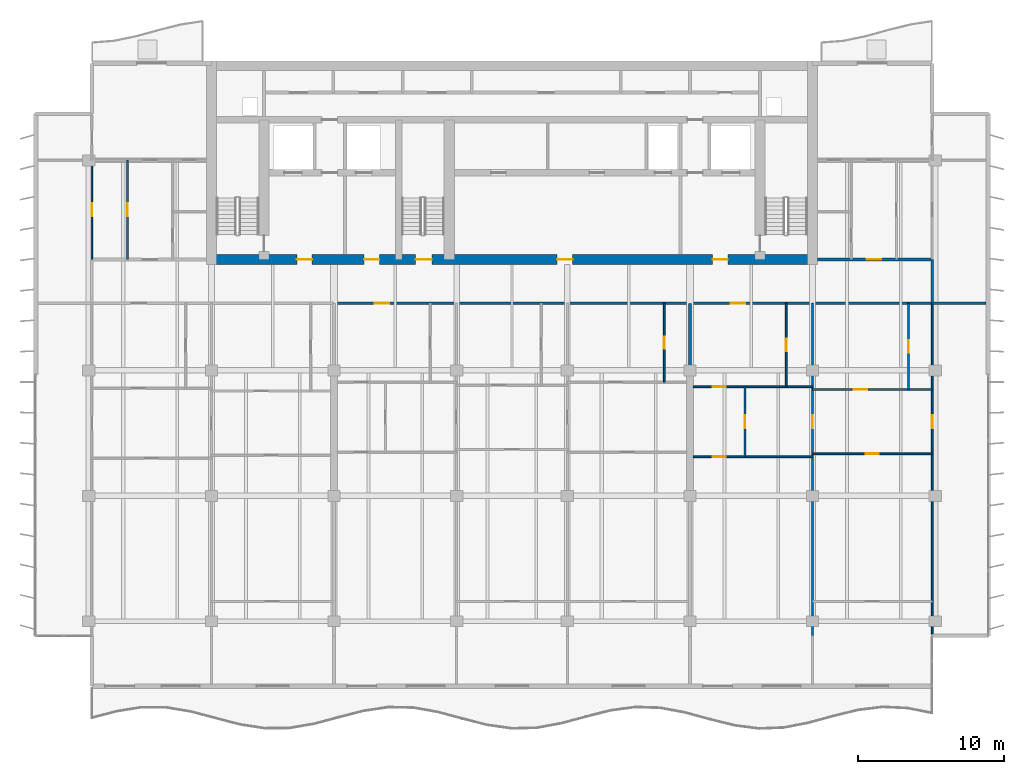
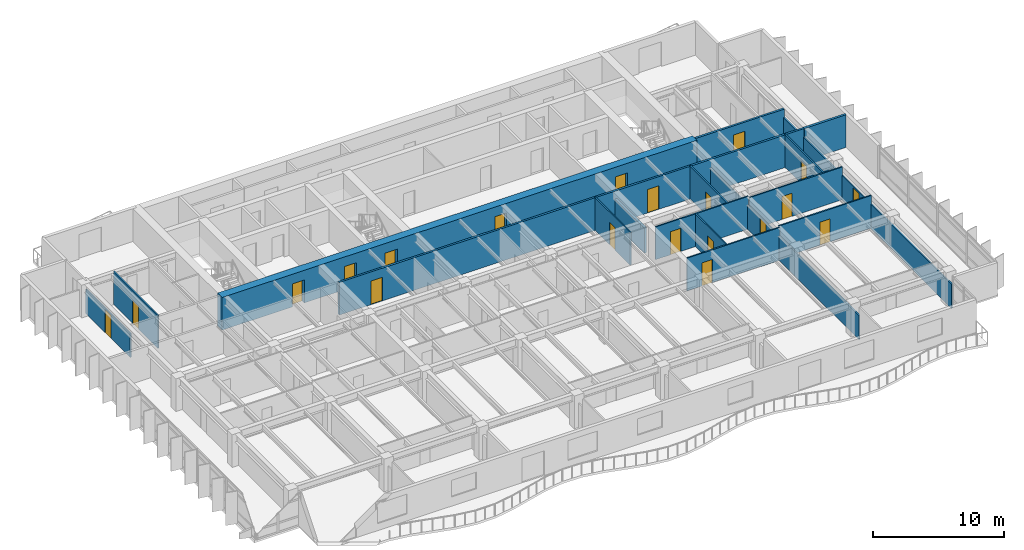
# One storey, part 10 of 17: 20 doors, 18 walls, 20 openings.
"""IFC4 building model written with IfcOpenShell, lengths in metres."""

from ifc_helpers import new_model, si_unit, direction, frame, frame_2d, origin, place, context, subcontext, project, spatial, rectangle, extrude, material, layer, layer_set, type_object, element, fill, save


model = new_model("IFC4")

# Units and contexts
model_context = context("Model", 3, precision=1e-05, world=origin(), true_north=direction((0.0, 1.0)))
body_context = subcontext(model_context, "Body", "Model", "MODEL_VIEW")
ifc_project = project(units=[si_unit("LENGTHUNIT", "METRE"), si_unit("AREAUNIT", "SQUARE_METRE"), si_unit("VOLUMEUNIT", "CUBIC_METRE"), si_unit("PLANEANGLEUNIT", "RADIAN"), si_unit("MASSUNIT", "GRAM", prefix="KILO")], contexts=[model_context])

# Site, building, storey
site_placement = place(None, origin())
site = spatial("IfcSite", under=ifc_project, at=site_placement, CompositionType="ELEMENT")
building_placement = place(site_placement, origin())
building = spatial("IfcBuilding", under=site, at=building_placement, Name="Caelmar Bay Residences", CompositionType="ELEMENT")
storey_placement = place(building_placement, frame((0.0, 0.0, 208.199951171875)))
storey = spatial("IfcBuildingStorey", under=building, at=storey_placement, Name="L58", CompositionType="ELEMENT", Elevation=208.199951171875)

# Wall, openings, doors
ifc_material_1 = material(Name="Concrete f'c 55 MPa (8,000 psi)", Category="concrete")
ifc_layer_1 = layer(ifc_material_1, 0.699951171875)
ifc_layer_set_1 = layer_set([ifc_layer_1], Name="Concrete f'c 55 MPa (8,000 psi)")
wall_type_1 = type_object("IfcWallType", Name="SW-COR-700", PredefinedType="SHEAR", material=ifc_layer_set_1)
wall_1_placement = place(storey_placement, frame((17.949951171875, 37.0, 0.0), z_axis=(0.0, 0.0, 1.0), x_axis=(1.0, 0.0, 0.0)))
wall_1 = element("IfcWall", 1, at=wall_1_placement, inside=storey, type_object=wall_type_1, Name="L58 Rear Core South Shear Wall", PredefinedType="SHEAR", context=body_context, shape_type="SweptSolid", body=[
    extrude(rectangle(XDim=41.900146484375, YDim=0.699951171875, at=frame_2d((20.9501953125, 0.0))), origin(), (0.0, 0.0, 1.0), 3.050048828125),
])
opening_1_placement = place(wall_1_placement, frame((14.35009765625, 0.0, 0.0)))
opening_1 = element("IfcOpeningElement", 2, at=opening_1_placement, cuts=wall_1, Name="Opening D-L58-105", PredefinedType="OPENING", context=body_context, shape_type="SweptSolid", body=[
    extrude(rectangle(XDim=1.10009765625, YDim=2.14990234375, at=frame_2d((0.550048828125, 1.074951171875))), frame((0.0, 0.35986328125, 0.0), z_axis=(0.0, -1.0, 0.0), x_axis=(1.0, 0.0, 0.0)), (0.0, 0.0, 1.0), 0.719970703125),
])
opening_2_placement = place(wall_1_placement, frame((6.199951171875, 0.0, 0.0)))
opening_2 = element("IfcOpeningElement", 3, at=opening_2_placement, cuts=wall_1, Name="Opening D-L58-106", PredefinedType="OPENING", context=body_context, shape_type="SweptSolid", body=[
    extrude(rectangle(XDim=1.050048828125, YDim=2.14990234375, at=frame_2d((0.52490234375, 1.074951171875))), frame((0.0, 0.35986328125, 0.0), z_axis=(0.0, -1.0, 0.0), x_axis=(1.0, 0.0, 0.0)), (0.0, 0.0, 1.0), 0.719970703125),
])
opening_3_placement = place(wall_1_placement, frame((34.699951171875, 0.0, 0.0)))
opening_3 = element("IfcOpeningElement", 4, at=opening_3_placement, cuts=wall_1, Name="Opening D-L58-109", PredefinedType="OPENING", context=body_context, shape_type="SweptSolid", body=[
    extrude(rectangle(XDim=1.050048828125, YDim=2.14990234375, at=frame_2d((0.52490234375, 1.074951171875))), frame((0.0, 0.35986328125, 0.0), z_axis=(0.0, -1.0, 0.0), x_axis=(1.0, 0.0, 0.0)), (0.0, 0.0, 1.0), 0.719970703125),
])
opening_4_placement = place(wall_1_placement, frame((10.8125, 0.0, 0.0)))
opening_4 = element("IfcOpeningElement", 5, at=opening_4_placement, cuts=wall_1, Name="Opening D-L58-112", PredefinedType="OPENING", context=body_context, shape_type="SweptSolid", body=[
    extrude(rectangle(XDim=1.050048828125, YDim=2.14990234375, at=frame_2d((0.52490234375, 1.074951171875))), frame((0.0, 0.35986328125, 0.0), z_axis=(0.0, -1.0, 0.0), x_axis=(1.0, 0.0, 0.0)), (0.0, 0.0, 1.0), 0.719970703125),
])
opening_5_placement = place(wall_1_placement, frame((24.050048828125, 0.0, 0.0)))
opening_5 = element("IfcOpeningElement", 6, at=opening_5_placement, cuts=wall_1, Name="Opening D-L58-113", PredefinedType="OPENING", context=body_context, shape_type="SweptSolid", body=[
    extrude(rectangle(XDim=1.050048828125, YDim=2.14990234375, at=frame_2d((0.52490234375, 1.074951171875))), frame((0.0, 0.35986328125, 0.0), z_axis=(0.0, -1.0, 0.0), x_axis=(1.0, 0.0, 0.0)), (0.0, 0.0, 1.0), 0.719970703125),
])
ifc_material_2 = material(Name="Fire-rated steel and walnut architectural door assembly", Category="steel")
ifc_layer_2 = layer(ifc_material_2, 0.050048828125)
ifc_layer_set_2 = layer_set([ifc_layer_2], Name="Fire-rated steel and walnut architectural door assembly")
door_type_1 = type_object("IfcDoorType", Name="D-FSAE-1050", OperationType="NOTDEFINED", PredefinedType="DOOR", material=ifc_layer_set_2)
door_1_placement = place(opening_2_placement, origin())
door_1 = element("IfcDoor", 7, at=door_1_placement, inside=storey, type_object=door_type_1, Name="L58 Firefighting Lobby West Door", OperationType="SINGLE_SWING_LEFT", OverallHeight=2.14990234375, OverallWidth=1.050048828125, PredefinedType="DOOR", context=body_context, shape_type="SweptSolid", body=[
    extrude(rectangle(XDim=1.050048828125, YDim=2.14990234375, at=frame_2d((0.52490234375, 1.074951171875))), frame((0.0, 0.02490234375, 0.0), z_axis=(0.0, -1.0, 0.0), x_axis=(1.0, 0.0, 0.0)), (0.0, 0.0, 1.0), 0.050048828125),
])
fill(opening_2, door_1)
door_2_placement = place(opening_3_placement, origin())
door_2 = element("IfcDoor", 8, at=door_2_placement, inside=storey, type_object=door_type_1, Name="L58 Firefighting Lobby East Door", OperationType="SINGLE_SWING_RIGHT", OverallHeight=2.14990234375, OverallWidth=1.050048828125, PredefinedType="DOOR", context=body_context, shape_type="SweptSolid", body=[
    extrude(rectangle(XDim=1.050048828125, YDim=2.14990234375, at=frame_2d((0.52490234375, 1.074951171875))), frame((0.0, 0.02490234375, 0.0), z_axis=(0.0, -1.0, 0.0), x_axis=(1.0, 0.0, 0.0)), (0.0, 0.0, 1.0), 0.050048828125),
])
fill(opening_3, door_2)
door_3_placement = place(opening_4_placement, origin())
door_3 = element("IfcDoor", 9, at=door_3_placement, inside=storey, type_object=door_type_1, Name="L58 West Lift Lobby Door", OperationType="SINGLE_SWING_LEFT", OverallHeight=2.14990234375, OverallWidth=1.050048828125, PredefinedType="DOOR", context=body_context, shape_type="SweptSolid", body=[
    extrude(rectangle(XDim=1.050048828125, YDim=2.14990234375, at=frame_2d((0.52490234375, 1.074951171875))), frame((0.0, 0.02490234375, 0.0), z_axis=(0.0, -1.0, 0.0), x_axis=(1.0, 0.0, 0.0)), (0.0, 0.0, 1.0), 0.050048828125),
])
fill(opening_4, door_3)
door_4_placement = place(opening_5_placement, origin())
door_4 = element("IfcDoor", 10, at=door_4_placement, inside=storey, type_object=door_type_1, Name="L58 Passenger Lift Lobby Door", OperationType="SINGLE_SWING_RIGHT", OverallHeight=2.14990234375, OverallWidth=1.050048828125, PredefinedType="DOOR", context=body_context, shape_type="SweptSolid", body=[
    extrude(rectangle(XDim=1.050048828125, YDim=2.14990234375, at=frame_2d((0.52490234375, 1.074951171875))), frame((0.0, 0.02490234375, 0.0), z_axis=(0.0, -1.0, 0.0), x_axis=(1.0, 0.0, 0.0)), (0.0, 0.0, 1.0), 0.050048828125),
])
fill(opening_5, door_4)
ifc_layer_3 = layer(ifc_material_2, 0.050048828125)
ifc_layer_set_3 = layer_set([ifc_layer_3], Name="Fire-rated steel and walnut architectural door assembly")
door_type_2 = type_object("IfcDoorType", Name="D-STAIR-1100", OperationType="NOTDEFINED", PredefinedType="DOOR", material=ifc_layer_set_3)
door_5_placement = place(opening_1_placement, origin())
door_5 = element("IfcDoor", 11, at=door_5_placement, inside=storey, type_object=door_type_2, Name="L58 Exit Stair ST3 Door", OperationType="SINGLE_SWING_RIGHT", OverallHeight=2.14990234375, OverallWidth=1.10009765625, PredefinedType="DOOR", context=body_context, shape_type="SweptSolid", body=[
    extrude(rectangle(XDim=1.10009765625, YDim=2.14990234375, at=frame_2d((0.550048828125, 1.074951171875))), frame((0.0, 0.02490234375, 0.0), z_axis=(0.0, -1.0, 0.0), x_axis=(1.0, 0.0, 0.0)), (0.0, 0.0, 1.0), 0.050048828125),
])
fill(opening_1, door_5)

# Wall
ifc_material_3 = material(Name="Double-stud acoustic fire-rated gypsum partition 180 mm")
ifc_layer_4 = layer(ifc_material_3, 0.179931640625)
ifc_layer_set_4 = layer_set([ifc_layer_4], Name="Double-stud acoustic fire-rated gypsum partition 180 mm")
wall_type_2 = type_object("IfcWallType", Name="W-COR-200", PredefinedType="PARTITIONING", material=ifc_layer_set_4)
wall_2_placement = place(storey_placement, frame((67.699951171875, 34.0048828125, 0.0), z_axis=(0.0, 0.0, 1.0), x_axis=(0.0, 1.0, 0.0)))
element("IfcWall", 12, at=wall_2_placement, inside=storey, type_object=wall_type_2, Name="L58 Partition Wall V048", PredefinedType="PARTITIONING", context=body_context, shape_type="SweptSolid", body=[
    extrude(rectangle(XDim=2.9951171875, YDim=0.179931640625, at=frame_2d((1.49755859375, 0.0))), origin(), (0.0, 0.0, 1.0), 2.262939453125),
])

# Wall, openings, doors
wall_3_placement = place(storey_placement, frame((26.699951171875, 34.0, 0.0), z_axis=(0.0, 0.0, 1.0), x_axis=(1.0, 0.0, 0.0)))
wall_3 = element("IfcWall", 13, at=wall_3_placement, inside=storey, type_object=wall_type_2, Name="L58 Partition Wall H070", PredefinedType="PARTITIONING", context=body_context, shape_type="SweptSolid", body=[
    extrude(rectangle(XDim=41.0, YDim=0.179931640625, at=frame_2d((20.5, 0.0))), origin(), (0.0, 0.0, 1.0), 3.050048828125),
])
opening_6_placement = place(wall_3_placement, frame((2.7958984375, 0.0, 0.0)))
opening_6 = element("IfcOpeningElement", 14, at=opening_6_placement, cuts=wall_3, Name="Opening D-L58-133", PredefinedType="OPENING", context=body_context, shape_type="SweptSolid", body=[
    extrude(rectangle(XDim=1.0, YDim=2.199951171875, at=frame_2d((0.5, 1.10009765625))), frame((0.0, 0.099853515625, 0.0), z_axis=(0.0, -1.0, 0.0), x_axis=(1.0, 0.0, 0.0)), (0.0, 0.0, 1.0), 0.199951171875),
])
opening_7_placement = place(wall_3_placement, frame((27.199462890625, 0.0, 0.0)))
opening_7 = element("IfcOpeningElement", 15, at=opening_7_placement, cuts=wall_3, Name="Opening D-L58-148", PredefinedType="OPENING", context=body_context, shape_type="SweptSolid", body=[
    extrude(rectangle(XDim=1.0, YDim=2.199951171875, at=frame_2d((0.5, 1.10009765625))), frame((0.0, 0.099853515625, 0.0), z_axis=(0.0, -1.0, 0.0), x_axis=(1.0, 0.0, 0.0)), (0.0, 0.0, 1.0), 0.199951171875),
])
ifc_layer_5 = layer(ifc_material_2, 0.050048828125)
ifc_layer_set_5 = layer_set([ifc_layer_5], Name="Fire-rated steel and walnut architectural door assembly")
door_type_3 = type_object("IfcDoorType", Name="D-UNIT-1000", OperationType="NOTDEFINED", PredefinedType="DOOR", material=ifc_layer_set_5)
door_6_placement = place(opening_6_placement, origin())
door_6 = element("IfcDoor", 16, at=door_6_placement, inside=storey, type_object=door_type_3, Name="L58 Residence 02 Apartment Hall Door", OperationType="SINGLE_SWING_RIGHT", OverallHeight=2.199951171875, OverallWidth=1.0, PredefinedType="DOOR", context=body_context, shape_type="SweptSolid", body=[
    extrude(rectangle(XDim=1.0, YDim=2.199951171875, at=frame_2d((0.5, 1.10009765625))), frame((0.0, 0.02490234375, 0.0), z_axis=(0.0, -1.0, 0.0), x_axis=(1.0, 0.0, 0.0)), (0.0, 0.0, 1.0), 0.050048828125),
])
fill(opening_6, door_6)
door_7_placement = place(opening_7_placement, origin())
door_7 = element("IfcDoor", 17, at=door_7_placement, inside=storey, type_object=door_type_3, Name="L58 Residence 03 Apartment Hall Door", OperationType="SINGLE_SWING_LEFT", OverallHeight=2.199951171875, OverallWidth=1.0, PredefinedType="DOOR", context=body_context, shape_type="SweptSolid", body=[
    extrude(rectangle(XDim=1.0, YDim=2.199951171875, at=frame_2d((0.5, 1.10009765625))), frame((0.0, 0.02490234375, 0.0), z_axis=(0.0, -1.0, 0.0), x_axis=(1.0, 0.0, 0.0)), (0.0, 0.0, 1.0), 0.050048828125),
])
fill(opening_7, door_7)

# Wall, opening, door
wall_4_placement = place(storey_placement, frame((59.85498046875, 37.0, 0.0), z_axis=(0.0, 0.0, 1.0), x_axis=(1.0, 0.0, 0.0)))
wall_4 = element("IfcWall", 18, at=wall_4_placement, inside=storey, type_object=wall_type_2, Name="L58 Partition Wall H073", PredefinedType="PARTITIONING", context=body_context, shape_type="SweptSolid", body=[
    extrude(rectangle(XDim=7.844970703125, YDim=0.179931640625, at=frame_2d((3.92236328125, 0.0))), origin(), (0.0, 0.0, 1.0), 3.050048828125),
])
opening_8_placement = place(wall_4_placement, frame((3.34912109375, 0.0, 0.0)))
opening_8 = element("IfcOpeningElement", 19, at=opening_8_placement, cuts=wall_4, Name="Opening D-L58-168", PredefinedType="OPENING", context=body_context, shape_type="SweptSolid", body=[
    extrude(rectangle(XDim=1.0, YDim=2.199951171875, at=frame_2d((0.5, 1.10009765625))), frame((0.0, 0.099853515625, 0.0), z_axis=(0.0, -1.0, 0.0), x_axis=(1.0, 0.0, 0.0)), (0.0, 0.0, 1.0), 0.199951171875),
])
door_8_placement = place(opening_8_placement, origin())
door_8 = element("IfcDoor", 20, at=door_8_placement, inside=storey, type_object=door_type_3, Name="L58 Residence EA Kitchen Door", OperationType="SINGLE_SWING_LEFT", OverallHeight=2.199951171875, OverallWidth=1.0, PredefinedType="DOOR", context=body_context, shape_type="SweptSolid", body=[
    extrude(rectangle(XDim=1.0, YDim=2.199951171875, at=frame_2d((0.5, 1.10009765625))), frame((0.0, 0.02490234375, 0.0), z_axis=(0.0, -1.0, 0.0), x_axis=(1.0, 0.0, 0.0)), (0.0, 0.0, 1.0), 0.050048828125),
])
fill(opening_8, door_8)

ifc_material_4 = material(Name="Anodised bronze framed acoustic sliding study partition 100 mm")
ifc_layer_6 = layer(ifc_material_4, 0.10009765625)
ifc_layer_set_6 = layer_set([ifc_layer_6], Name="Anodised bronze framed acoustic sliding study partition 100 mm")
wall_type_3 = type_object("IfcWallType", Name="W-MOV-100", PredefinedType="MOVABLE", material=ifc_layer_set_6)
wall_5_placement = place(storey_placement, frame((10.10009765625, 37.0048828125, 0.0), z_axis=(0.0, 0.0, 1.0), x_axis=(0.0, 1.0, 0.0)))
wall_5 = element("IfcWall", 21, at=wall_5_placement, inside=storey, type_object=wall_type_3, Name="L58 Partition Wall V003", PredefinedType="MOVABLE", context=body_context, shape_type="SweptSolid", body=[
    extrude(rectangle(XDim=6.795166015625, YDim=0.10009765625, at=frame_2d((3.3974609375, 0.0))), origin(), (0.0, 0.0, 1.0), 2.262939453125),
])
opening_9_placement = place(wall_5_placement, frame((2.947509765625, 0.0, 0.0)))
opening_9 = element("IfcOpeningElement", 22, at=opening_9_placement, cuts=wall_5, Name="Opening D-L58-165", PredefinedType="OPENING", context=body_context, shape_type="SweptSolid", body=[
    extrude(rectangle(XDim=0.89990234375, YDim=2.14990234375, at=frame_2d((0.449951171875, 1.074951171875))), frame((0.0, 0.06005859375, 0.0), z_axis=(0.0, -1.0, 0.0), x_axis=(1.0, 0.0, 0.0)), (0.0, 0.0, 1.0), 0.1201171875),
])
ifc_material_5 = material(Name="Solid walnut timber interior door leaf and frame", Category="wood")
ifc_layer_7 = layer(ifc_material_5, 0.050048828125)
ifc_layer_set_7 = layer_set([ifc_layer_7], Name="Solid walnut timber interior door leaf and frame")
door_type_4 = type_object("IfcDoorType", Name="D-ROOM-900", OperationType="NOTDEFINED", PredefinedType="DOOR", material=ifc_layer_set_7)
door_9_placement = place(opening_9_placement, origin())
door_9 = element("IfcDoor", 23, at=door_9_placement, inside=storey, type_object=door_type_4, Name="L58 Residence WA Sun Study Door", OperationType="SINGLE_SWING_RIGHT", OverallHeight=2.14990234375, OverallWidth=0.89990234375, PredefinedType="DOOR", context=body_context, shape_type="SweptSolid", body=[
    extrude(rectangle(XDim=0.89990234375, YDim=2.14990234375, at=frame_2d((0.449951171875, 1.074951171875))), frame((0.0, 0.02490234375, 0.0), z_axis=(0.0, -1.0, 0.0), x_axis=(1.0, 0.0, 0.0)), (0.0, 0.0, 1.0), 0.050048828125),
])
fill(opening_9, door_9)

ifc_material_6 = material(Name="Acoustic metal-stud gypsum partition 120 mm")
ifc_layer_8 = layer(ifc_material_6, 0.1201171875)
ifc_layer_set_8 = layer_set([ifc_layer_8], Name="Acoustic metal-stud gypsum partition 120 mm")
wall_type_4 = type_object("IfcWallType", Name="W-PRT-120", PredefinedType="PARTITIONING", material=ifc_layer_set_8)
wall_6_placement = place(storey_placement, frame((12.5419921875, 37.0, 0.0), z_axis=(0.0, 0.0, 1.0), x_axis=(0.0, 1.0, 0.0)))
wall_6 = element("IfcWall", 24, at=wall_6_placement, inside=storey, type_object=wall_type_4, Name="L58 Partition Wall V005", PredefinedType="PARTITIONING", context=body_context, shape_type="SweptSolid", body=[
    extrude(rectangle(XDim=6.800048828125, YDim=0.1201171875, at=frame_2d((3.39990234375, 0.0))), origin(), (0.0, 0.0, 1.0), 3.050048828125),
])
opening_10_placement = place(wall_6_placement, frame((2.949951171875, 0.0, 0.0)))
opening_10 = element("IfcOpeningElement", 25, at=opening_10_placement, cuts=wall_6, Name="Opening D-L58-160", PredefinedType="OPENING", context=body_context, shape_type="SweptSolid", body=[
    extrude(rectangle(XDim=0.89990234375, YDim=2.14990234375, at=frame_2d((0.449951171875, 1.074951171875))), frame((0.0, 0.070068359375, 0.0), z_axis=(0.0, -1.0, 0.0), x_axis=(1.0, 0.0, 0.0)), (0.0, 0.0, 1.0), 0.14013671875),
])
door_10_placement = place(opening_10_placement, origin())
door_10 = element("IfcDoor", 26, at=door_10_placement, inside=storey, type_object=door_type_4, Name="L58 Residence WA Dining Room Door", OperationType="SINGLE_SWING_LEFT", OverallHeight=2.14990234375, OverallWidth=0.89990234375, PredefinedType="DOOR", context=body_context, shape_type="SweptSolid", body=[
    extrude(rectangle(XDim=0.89990234375, YDim=2.14990234375, at=frame_2d((0.449951171875, 1.074951171875))), frame((0.0, 0.02490234375, 0.0), z_axis=(0.0, -1.0, 0.0), x_axis=(1.0, 0.0, 0.0)), (0.0, 0.0, 1.0), 0.050048828125),
])
fill(opening_10, door_10)

wall_7_placement = place(storey_placement, frame((49.3291015625, 28.580078125, 0.0), z_axis=(0.0, 0.0, 1.0), x_axis=(0.0, 1.0, 0.0)))
wall_7 = element("IfcWall", 27, at=wall_7_placement, inside=storey, type_object=wall_type_4, Name="L58 Partition Wall V031", PredefinedType="PARTITIONING", context=body_context, shape_type="SweptSolid", body=[
    extrude(rectangle(XDim=5.419921875, YDim=0.1201171875, at=frame_2d((2.7099609375, 0.0))), origin(), (0.0, 0.0, 1.0), 3.050048828125),
])
opening_11_placement = place(wall_7_placement, frame((2.284912109375, 0.0, 0.0)))
opening_11 = element("IfcOpeningElement", 28, at=opening_11_placement, cuts=wall_7, Name="Opening D-L58-145", PredefinedType="OPENING", context=body_context, shape_type="SweptSolid", body=[
    extrude(rectangle(XDim=0.85009765625, YDim=2.10009765625, at=frame_2d((0.425048828125, 1.050048828125))), frame((0.0, 0.070068359375, 0.0), z_axis=(0.0, -1.0, 0.0), x_axis=(1.0, 0.0, 0.0)), (0.0, 0.0, 1.0), 0.14013671875),
])
ifc_layer_9 = layer(ifc_material_5, 0.050048828125)
ifc_layer_set_9 = layer_set([ifc_layer_9], Name="Solid walnut timber interior door leaf and frame")
door_type_5 = type_object("IfcDoorType", Name="D-BATH-850", OperationType="NOTDEFINED", PredefinedType="DOOR", material=ifc_layer_set_9)
door_11_placement = place(opening_11_placement, origin())
door_11 = element("IfcDoor", 29, at=door_11_placement, inside=storey, type_object=door_type_5, Name="L58 Residence 02 En-Suite Bathroom 2 Door", OperationType="SINGLE_SWING_RIGHT", OverallHeight=2.10009765625, OverallWidth=0.85009765625, PredefinedType="DOOR", context=body_context, shape_type="SweptSolid", body=[
    extrude(rectangle(XDim=0.85009765625, YDim=2.10009765625, at=frame_2d((0.425048828125, 1.050048828125))), frame((0.0, 0.02490234375, 0.0), z_axis=(0.0, -1.0, 0.0), x_axis=(1.0, 0.0, 0.0)), (0.0, 0.0, 1.0), 0.050048828125),
])
fill(opening_11, door_11)

wall_8_placement = place(storey_placement, frame((54.8798828125, 23.47998046875, 0.0), z_axis=(0.0, 0.0, 1.0), x_axis=(0.0, 1.0, 0.0)))
wall_8 = element("IfcWall", 30, at=wall_8_placement, inside=storey, type_object=wall_type_4, Name="L58 Partition Wall V039", PredefinedType="PARTITIONING", context=body_context, shape_type="SweptSolid", body=[
    extrude(rectangle(XDim=4.800048828125, YDim=0.1201171875, at=frame_2d((2.39990234375, 0.0))), origin(), (0.0, 0.0, 1.0), 3.050048828125),
])
opening_12_placement = place(wall_8_placement, frame((1.949951171875, 0.0, 0.0)))
opening_12 = element("IfcOpeningElement", 31, at=opening_12_placement, cuts=wall_8, Name="Opening D-L58-151", PredefinedType="OPENING", context=body_context, shape_type="SweptSolid", body=[
    extrude(rectangle(XDim=0.89990234375, YDim=2.14990234375, at=frame_2d((0.449951171875, 1.074951171875))), frame((0.0, 0.070068359375, 0.0), z_axis=(0.0, -1.0, 0.0), x_axis=(1.0, 0.0, 0.0)), (0.0, 0.0, 1.0), 0.14013671875),
])
door_12_placement = place(opening_12_placement, origin())
door_12 = element("IfcDoor", 32, at=door_12_placement, inside=storey, type_object=door_type_4, Name="L58 Residence 03 Kitchen Door", OperationType="SINGLE_SWING_RIGHT", OverallHeight=2.14990234375, OverallWidth=0.89990234375, PredefinedType="DOOR", context=body_context, shape_type="SweptSolid", body=[
    extrude(rectangle(XDim=0.89990234375, YDim=2.14990234375, at=frame_2d((0.449951171875, 1.074951171875))), frame((0.0, 0.02490234375, 0.0), z_axis=(0.0, -1.0, 0.0), x_axis=(1.0, 0.0, 0.0)), (0.0, 0.0, 1.0), 0.050048828125),
])
fill(opening_12, door_12)

wall_9_placement = place(storey_placement, frame((57.698974609375, 28.280029296875, 0.0), z_axis=(0.0, 0.0, 1.0), x_axis=(0.0, 1.0, 0.0)))
wall_9 = element("IfcWall", 33, at=wall_9_placement, inside=storey, type_object=wall_type_4, Name="L58 Partition Wall V041", PredefinedType="PARTITIONING", context=body_context, shape_type="SweptSolid", body=[
    extrude(rectangle(XDim=5.719970703125, YDim=0.1201171875, at=frame_2d((2.85986328125, 0.0))), origin(), (0.0, 0.0, 1.0), 3.050048828125),
])
opening_13_placement = place(wall_9_placement, frame((2.43505859375, 0.0, 0.0)))
opening_13 = element("IfcOpeningElement", 34, at=opening_13_placement, cuts=wall_9, Name="Opening D-L58-149", PredefinedType="OPENING", context=body_context, shape_type="SweptSolid", body=[
    extrude(rectangle(XDim=0.85009765625, YDim=2.10009765625, at=frame_2d((0.425048828125, 1.050048828125))), frame((0.0, 0.070068359375, 0.0), z_axis=(0.0, -1.0, 0.0), x_axis=(1.0, 0.0, 0.0)), (0.0, 0.0, 1.0), 0.14013671875),
])
door_13_placement = place(opening_13_placement, origin())
door_13 = element("IfcDoor", 35, at=door_13_placement, inside=storey, type_object=door_type_5, Name="L58 Residence 03 Guest Bathroom Door", OperationType="SINGLE_SWING_RIGHT", OverallHeight=2.10009765625, OverallWidth=0.85009765625, PredefinedType="DOOR", context=body_context, shape_type="SweptSolid", body=[
    extrude(rectangle(XDim=0.85009765625, YDim=2.10009765625, at=frame_2d((0.425048828125, 1.050048828125))), frame((0.0, 0.02490234375, 0.0), z_axis=(0.0, -1.0, 0.0), x_axis=(1.0, 0.0, 0.0)), (0.0, 0.0, 1.0), 0.050048828125),
])
fill(opening_13, door_13)

wall_10_placement = place(storey_placement, frame((59.5, 11.239990234375, 0.0), z_axis=(0.0, 0.0, 1.0), x_axis=(0.0, 1.0, 0.0)))
wall_10 = element("IfcWall", 36, at=wall_10_placement, inside=storey, type_object=wall_type_4, Name="L58 Partition Wall V043", PredefinedType="PARTITIONING", context=body_context, shape_type="SweptSolid", body=[
    extrude(rectangle(XDim=22.760009765625, YDim=0.1201171875, at=frame_2d((11.3798828125, 0.0))), origin(), (0.0, 0.0, 1.0), 2.262939453125),
])
opening_14_placement = place(wall_10_placement, frame((14.18994140625, 0.0, 0.0)))
opening_14 = element("IfcOpeningElement", 37, at=opening_14_placement, cuts=wall_10, Name="Opening D-L58-153", PredefinedType="OPENING", context=body_context, shape_type="SweptSolid", body=[
    extrude(rectangle(XDim=0.89990234375, YDim=2.14990234375, at=frame_2d((0.449951171875, 1.074951171875))), frame((0.0, 0.070068359375, 0.0), z_axis=(0.0, -1.0, 0.0), x_axis=(1.0, 0.0, 0.0)), (0.0, 0.0, 1.0), 0.14013671875),
])
door_14_placement = place(opening_14_placement, origin())
door_14 = element("IfcDoor", 38, at=door_14_placement, inside=storey, type_object=door_type_4, Name="L58 Residence 03 Reception Lounge 1 Door", OperationType="SINGLE_SWING_RIGHT", OverallHeight=2.14990234375, OverallWidth=0.89990234375, PredefinedType="DOOR", context=body_context, shape_type="SweptSolid", body=[
    extrude(rectangle(XDim=0.89990234375, YDim=2.14990234375, at=frame_2d((0.449951171875, 1.074951171875))), frame((0.0, 0.02490234375, 0.0), z_axis=(0.0, -1.0, 0.0), x_axis=(1.0, 0.0, 0.0)), (0.0, 0.0, 1.0), 0.050048828125),
])
fill(opening_14, door_14)

wall_11_placement = place(storey_placement, frame((66.077880859375, 28.080078125, 0.0), z_axis=(0.0, 0.0, 1.0), x_axis=(0.0, 1.0, 0.0)))
wall_11 = element("IfcWall", 39, at=wall_11_placement, inside=storey, type_object=wall_type_4, Name="L58 Partition Wall V046", PredefinedType="PARTITIONING", context=body_context, shape_type="SweptSolid", body=[
    extrude(rectangle(XDim=5.919921875, YDim=0.1201171875, at=frame_2d((2.9599609375, 0.0))), origin(), (0.0, 0.0, 1.0), 3.050048828125),
])
opening_15_placement = place(wall_11_placement, frame((2.534912109375, 0.0, 0.0)))
opening_15 = element("IfcOpeningElement", 40, at=opening_15_placement, cuts=wall_11, Name="Opening D-L58-155", PredefinedType="OPENING", context=body_context, shape_type="SweptSolid", body=[
    extrude(rectangle(XDim=0.85009765625, YDim=2.10009765625, at=frame_2d((0.425048828125, 1.050048828125))), frame((0.0, 0.070068359375, 0.0), z_axis=(0.0, -1.0, 0.0), x_axis=(1.0, 0.0, 0.0)), (0.0, 0.0, 1.0), 0.14013671875),
])
door_15_placement = place(opening_15_placement, origin())
door_15 = element("IfcDoor", 41, at=door_15_placement, inside=storey, type_object=door_type_5, Name="L58 Residence 03 En-Suite Bathroom 1 Door", OperationType="SINGLE_SWING_RIGHT", OverallHeight=2.10009765625, OverallWidth=0.85009765625, PredefinedType="DOOR", context=body_context, shape_type="SweptSolid", body=[
    extrude(rectangle(XDim=0.85009765625, YDim=2.10009765625, at=frame_2d((0.425048828125, 1.050048828125))), frame((0.0, 0.02490234375, 0.0), z_axis=(0.0, -1.0, 0.0), x_axis=(1.0, 0.0, 0.0)), (0.0, 0.0, 1.0), 0.050048828125),
])
fill(opening_15, door_15)

wall_12_placement = place(storey_placement, frame((67.699951171875, 11.320068359375, 0.0), z_axis=(0.0, 0.0, 1.0), x_axis=(0.0, 1.0, 0.0)))
wall_12 = element("IfcWall", 42, at=wall_12_placement, inside=storey, type_object=wall_type_4, Name="L58 Partition Wall V047", PredefinedType="PARTITIONING", context=body_context, shape_type="SweptSolid", body=[
    extrude(rectangle(XDim=22.679931640625, YDim=0.1201171875, at=frame_2d((11.33984375, 0.0))), origin(), (0.0, 0.0, 1.0), 2.262939453125),
])
opening_16_placement = place(wall_12_placement, frame((14.110107421875, 0.0, 0.0)))
opening_16 = element("IfcOpeningElement", 43, at=opening_16_placement, cuts=wall_12, Name="Opening D-L58-159", PredefinedType="OPENING", context=body_context, shape_type="SweptSolid", body=[
    extrude(rectangle(XDim=0.89990234375, YDim=2.14990234375, at=frame_2d((0.449951171875, 1.074951171875))), frame((0.0, 0.070068359375, 0.0), z_axis=(0.0, -1.0, 0.0), x_axis=(1.0, 0.0, 0.0)), (0.0, 0.0, 1.0), 0.14013671875),
])
door_16_placement = place(opening_16_placement, origin())
door_16 = element("IfcDoor", 44, at=door_16_placement, inside=storey, type_object=door_type_4, Name="L58 Residence 03 Penthouse East Salon Door", OperationType="SINGLE_SWING_RIGHT", OverallHeight=2.14990234375, OverallWidth=0.89990234375, PredefinedType="DOOR", context=body_context, shape_type="SweptSolid", body=[
    extrude(rectangle(XDim=0.89990234375, YDim=2.14990234375, at=frame_2d((0.449951171875, 1.074951171875))), frame((0.0, 0.02490234375, 0.0), z_axis=(0.0, -1.0, 0.0), x_axis=(1.0, 0.0, 0.0)), (0.0, 0.0, 1.0), 0.050048828125),
])
fill(opening_16, door_16)

wall_13_placement = place(storey_placement, frame((51.320068359375, 23.47998046875, 0.0), z_axis=(0.0, 0.0, 1.0), x_axis=(1.0, 0.0, 0.0)))
wall_13 = element("IfcWall", 45, at=wall_13_placement, inside=storey, type_object=wall_type_4, Name="L58 Partition Wall H055", PredefinedType="PARTITIONING", context=body_context, shape_type="SweptSolid", body=[
    extrude(rectangle(XDim=8.179931640625, YDim=0.1201171875, at=frame_2d((4.08984375, 0.0))), origin(), (0.0, 0.0, 1.0), 3.050048828125),
])
opening_17_placement = place(wall_13_placement, frame((1.330078125, 0.0, 0.0)))
opening_17 = element("IfcOpeningElement", 46, at=opening_17_placement, cuts=wall_13, Name="Opening D-L58-152", PredefinedType="OPENING", context=body_context, shape_type="SweptSolid", body=[
    extrude(rectangle(XDim=0.89990234375, YDim=2.14990234375, at=frame_2d((0.449951171875, 1.074951171875))), frame((0.0, 0.070068359375, 0.0), z_axis=(0.0, -1.0, 0.0), x_axis=(1.0, 0.0, 0.0)), (0.0, 0.0, 1.0), 0.14013671875),
])
door_17_placement = place(opening_17_placement, origin())
door_17 = element("IfcDoor", 47, at=door_17_placement, inside=storey, type_object=door_type_4, Name="L58 Residence 03 Penthouse Living Salon Door", OperationType="SINGLE_SWING_LEFT", OverallHeight=2.14990234375, OverallWidth=0.89990234375, PredefinedType="DOOR", context=body_context, shape_type="SweptSolid", body=[
    extrude(rectangle(XDim=0.89990234375, YDim=2.14990234375, at=frame_2d((0.449951171875, 1.074951171875))), frame((0.0, 0.02490234375, 0.0), z_axis=(0.0, -1.0, 0.0), x_axis=(1.0, 0.0, 0.0)), (0.0, 0.0, 1.0), 0.050048828125),
])
fill(opening_17, door_17)

wall_14_placement = place(storey_placement, frame((59.5048828125, 23.679931640625, 0.0), z_axis=(0.0, 0.0, 1.0), x_axis=(1.0, 0.0, 0.0)))
wall_14 = element("IfcWall", 48, at=wall_14_placement, inside=storey, type_object=wall_type_4, Name="L58 Partition Wall H057", PredefinedType="PARTITIONING", context=body_context, shape_type="SweptSolid", body=[
    extrude(rectangle(XDim=8.195068359375, YDim=0.1201171875, at=frame_2d((4.09765625, 0.0))), origin(), (0.0, 0.0, 1.0), 3.050048828125),
])
opening_18_placement = place(wall_14_placement, frame((3.6474609375, 0.0, 0.0)))
opening_18 = element("IfcOpeningElement", 49, at=opening_18_placement, cuts=wall_14, Name="Opening D-L58-156", PredefinedType="OPENING", context=body_context, shape_type="SweptSolid", body=[
    extrude(rectangle(XDim=0.89990234375, YDim=2.14990234375, at=frame_2d((0.449951171875, 1.074951171875))), frame((0.0, 0.070068359375, 0.0), z_axis=(0.0, -1.0, 0.0), x_axis=(1.0, 0.0, 0.0)), (0.0, 0.0, 1.0), 0.14013671875),
])
door_18_placement = place(opening_18_placement, origin())
door_18 = element("IfcDoor", 50, at=door_18_placement, inside=storey, type_object=door_type_4, Name="L58 Residence 03 Penthouse Sitting Salon 1 Door", OperationType="SINGLE_SWING_LEFT", OverallHeight=2.14990234375, OverallWidth=0.89990234375, PredefinedType="DOOR", context=body_context, shape_type="SweptSolid", body=[
    extrude(rectangle(XDim=0.89990234375, YDim=2.14990234375, at=frame_2d((0.449951171875, 1.074951171875))), frame((0.0, 0.02490234375, 0.0), z_axis=(0.0, -1.0, 0.0), x_axis=(1.0, 0.0, 0.0)), (0.0, 0.0, 1.0), 0.050048828125),
])
fill(opening_18, door_18)

wall_15_placement = place(storey_placement, frame((59.5, 28.080078125, 0.0), z_axis=(0.0, 0.0, 1.0), x_axis=(1.0, 0.0, 0.0)))
wall_15 = element("IfcWall", 51, at=wall_15_placement, inside=storey, type_object=wall_type_4, Name="L58 Partition Wall H062", PredefinedType="PARTITIONING", context=body_context, shape_type="SweptSolid", body=[
    extrude(rectangle(XDim=8.199951171875, YDim=0.1201171875, at=frame_2d((4.10009765625, 0.0))), origin(), (0.0, 0.0, 1.0), 3.050048828125),
])
opening_19_placement = place(wall_15_placement, frame((2.839111328125, 0.0, 0.0)))
opening_19 = element("IfcOpeningElement", 52, at=opening_19_placement, cuts=wall_15, Name="Opening D-L58-154", PredefinedType="OPENING", context=body_context, shape_type="SweptSolid", body=[
    extrude(rectangle(XDim=0.89990234375, YDim=2.14990234375, at=frame_2d((0.449951171875, 1.074951171875))), frame((0.0, 0.070068359375, 0.0), z_axis=(0.0, -1.0, 0.0), x_axis=(1.0, 0.0, 0.0)), (0.0, 0.0, 1.0), 0.14013671875),
])
door_19_placement = place(opening_19_placement, origin())
door_19 = element("IfcDoor", 53, at=door_19_placement, inside=storey, type_object=door_type_4, Name="L58 Residence 03 Private Reception Room 1 Door", OperationType="SINGLE_SWING_LEFT", OverallHeight=2.14990234375, OverallWidth=0.89990234375, PredefinedType="DOOR", context=body_context, shape_type="SweptSolid", body=[
    extrude(rectangle(XDim=0.89990234375, YDim=2.14990234375, at=frame_2d((0.449951171875, 1.074951171875))), frame((0.0, 0.02490234375, 0.0), z_axis=(0.0, -1.0, 0.0), x_axis=(1.0, 0.0, 0.0)), (0.0, 0.0, 1.0), 0.050048828125),
])
fill(opening_19, door_19)

wall_16_placement = place(storey_placement, frame((51.320068359375, 28.280029296875, 0.0), z_axis=(0.0, 0.0, 1.0), x_axis=(1.0, 0.0, 0.0)))
wall_16 = element("IfcWall", 54, at=wall_16_placement, inside=storey, type_object=wall_type_4, Name="L58 Partition Wall H064", PredefinedType="PARTITIONING", context=body_context, shape_type="SweptSolid", body=[
    extrude(rectangle(XDim=8.179931640625, YDim=0.1201171875, at=frame_2d((4.08984375, 0.0))), origin(), (0.0, 0.0, 1.0), 3.050048828125),
])
opening_20_placement = place(wall_16_placement, frame((1.330078125, 0.0, 0.0)))
opening_20 = element("IfcOpeningElement", 55, at=opening_20_placement, cuts=wall_16, Name="Opening D-L58-150", PredefinedType="OPENING", context=body_context, shape_type="SweptSolid", body=[
    extrude(rectangle(XDim=0.89990234375, YDim=2.14990234375, at=frame_2d((0.449951171875, 1.074951171875))), frame((0.0, 0.070068359375, 0.0), z_axis=(0.0, -1.0, 0.0), x_axis=(1.0, 0.0, 0.0)), (0.0, 0.0, 1.0), 0.14013671875),
])
door_20_placement = place(opening_20_placement, origin())
door_20 = element("IfcDoor", 56, at=door_20_placement, inside=storey, type_object=door_type_4, Name="L58 Residence 03 Dining Room Door", OperationType="SINGLE_SWING_LEFT", OverallHeight=2.14990234375, OverallWidth=0.89990234375, PredefinedType="DOOR", context=body_context, shape_type="SweptSolid", body=[
    extrude(rectangle(XDim=0.89990234375, YDim=2.14990234375, at=frame_2d((0.449951171875, 1.074951171875))), frame((0.0, 0.02490234375, 0.0), z_axis=(0.0, -1.0, 0.0), x_axis=(1.0, 0.0, 0.0)), (0.0, 0.0, 1.0), 0.050048828125),
])
fill(opening_20, door_20)

# Walls
ifc_material_7 = material(Name="Acoustic twin-stud fire-rated inter-tenancy partition 200 mm")
ifc_layer_10 = layer(ifc_material_7, 0.199951171875)
ifc_layer_set_10 = layer_set([ifc_layer_10], Name="Acoustic twin-stud fire-rated inter-tenancy partition 200 mm")
wall_type_5 = type_object("IfcWallType", Name="W-PTY-200", PredefinedType="PARTITIONING", material=ifc_layer_set_10)
wall_17_placement = place(storey_placement, frame((51.10009765625, 29.405029296875, 0.0), z_axis=(0.0, 0.0, 1.0), x_axis=(0.0, 1.0, 0.0)))
element("IfcWall", 57, at=wall_17_placement, inside=storey, type_object=wall_type_5, Name="L58 Partition Wall V036", PredefinedType="PARTITIONING", context=body_context, shape_type="SweptSolid", body=[
    extrude(rectangle(XDim=4.594970703125, YDim=0.199951171875, at=frame_2d((2.29736328125, 0.0))), origin(), (0.0, 0.0, 1.0), 2.3349609375),
])
wall_18_placement = place(storey_placement, frame((67.705078125, 34.0, 0.0), z_axis=(0.0, 0.0, 1.0), x_axis=(1.0, 0.0, 0.0)))
element("IfcWall", 58, at=wall_18_placement, inside=storey, type_object=wall_type_5, Name="L58 Partition Wall H071", PredefinedType="PARTITIONING", context=body_context, shape_type="SweptSolid", body=[
    extrude(rectangle(XDim=3.699951171875, YDim=0.199951171875, at=frame_2d((1.85009765625, 0.0))), origin(), (0.0, 0.0, 1.0), 3.050048828125),
])

save(model, "model.ifc")
